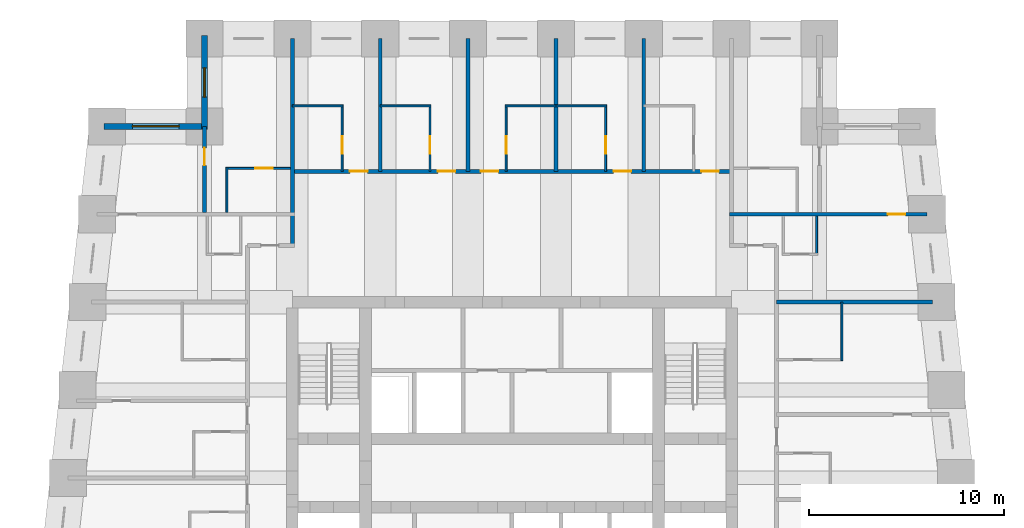
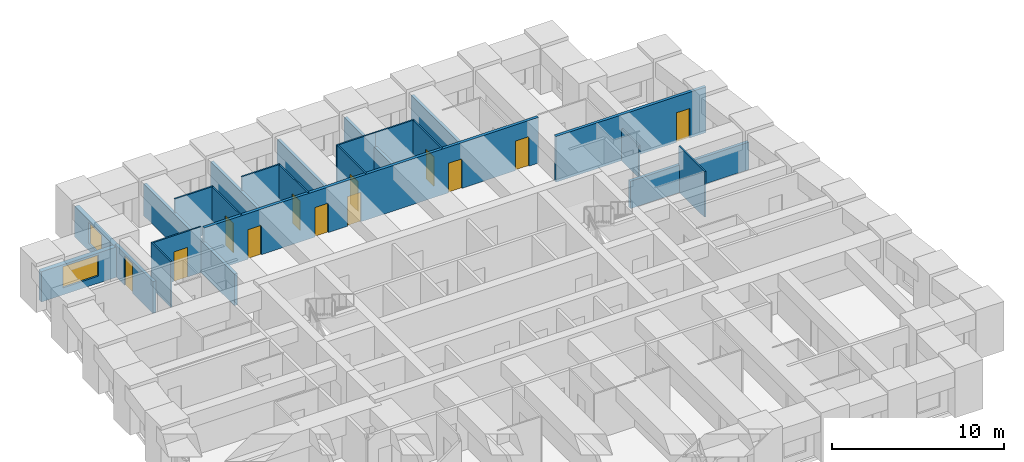
# One storey, part 6 of 8: 23 walls, 12 doors, 2 windows, 14 openings.
"""IFC4 building model written with IfcOpenShell, lengths in metres."""

from ifc_helpers import new_model, si_unit, direction, frame, frame_2d, origin, place, context, subcontext, project, spatial, rectangle, extrude, material, layer, layer_set, type_object, element, fill, save


model = new_model("IFC4")

# Units and contexts
model_context = context("Model", 3, precision=1e-05, world=origin(), true_north=direction((0.0, 1.0)))
body_context = subcontext(model_context, "Body", "Model", "MODEL_VIEW")
ifc_project = project(units=[si_unit("LENGTHUNIT", "METRE"), si_unit("AREAUNIT", "SQUARE_METRE"), si_unit("VOLUMEUNIT", "CUBIC_METRE"), si_unit("PLANEANGLEUNIT", "RADIAN"), si_unit("MASSUNIT", "GRAM", prefix="KILO")], contexts=[model_context])

# Site, building, storey
site_placement = place(None, origin())
site = spatial("IfcSite", under=ifc_project, at=site_placement, CompositionType="ELEMENT")
building_placement = place(site_placement, origin())
building = spatial("IfcBuilding", under=site, at=building_placement, Name="Kilele Tower Hotel", CompositionType="ELEMENT")
storey_placement = place(building_placement, frame((0.0, 0.0, 93.39990234375)))
storey = spatial("IfcBuildingStorey", under=building, at=storey_placement, Name="L23", CompositionType="ELEMENT", Elevation=93.39990234375)

# Walls
ifc_material_1 = material(Name="Moisture-resistant board")
ifc_layer_1 = layer(ifc_material_1, 0.10009765625)
ifc_layer_set_1 = layer_set([ifc_layer_1], Name="Moisture-resistant board")
wall_type_1 = type_object("IfcWallType", Name="Bathroom partition 100", PredefinedType="PLUMBINGWALL", material=ifc_layer_set_1)
wall_1_placement = place(storey_placement, frame((41.64990234375, 24.0, 0.0), z_axis=(0.0, 0.0, 1.0), x_axis=(0.0, 1.0, 0.0)))
element("IfcWall", 1, at=wall_1_placement, inside=storey, type_object=wall_type_1, Name="Bathroom partition 100 L23", PredefinedType="PLUMBINGWALL", context=body_context, shape_type="SweptSolid", body=[
    extrude(rectangle(XDim=3.0, YDim=0.10009765625, at=frame_2d((1.5, 0.0))), origin(), (0.0, 0.0, 1.0), 3.25),
])
wall_2_placement = place(storey_placement, frame((13.5, 37.050048828125, 0.0), z_axis=(0.0, 0.0, 1.0), x_axis=(1.0, 0.0, 0.0)))
element("IfcWall", 2, at=wall_2_placement, inside=storey, type_object=wall_type_1, Name="Bathroom partition 100 L23", PredefinedType="PLUMBINGWALL", context=body_context, shape_type="SweptSolid", body=[
    extrude(rectangle(XDim=2.60009765625, YDim=0.10009765625, at=frame_2d((1.300048828125, 0.0))), origin(), (0.0, 0.0, 1.0), 3.25),
])

# Wall, opening, door
wall_3_placement = place(storey_placement, frame((16.050048828125, 33.699951171875, 0.0), z_axis=(0.0, 0.0, 1.0), x_axis=(0.0, 1.0, 0.0)))
wall_3 = element("IfcWall", 3, at=wall_3_placement, inside=storey, type_object=wall_type_1, Name="Bathroom partition 100 L23", PredefinedType="PLUMBINGWALL", context=body_context, shape_type="SweptSolid", body=[
    extrude(rectangle(XDim=3.400146484375, YDim=0.10009765625, at=frame_2d((1.7001953125, 0.0))), origin(), (0.0, 0.0, 1.0), 3.25),
])
opening_1_placement = place(wall_3_placement, frame((1.7998046875, 0.0, 0.0), z_axis=(0.0, 0.0, 1.0), x_axis=(-1.0, 0.0, 0.0)))
opening_1 = element("IfcOpeningElement", 4, at=opening_1_placement, cuts=wall_3, Name="Opening D2A", PredefinedType="OPENING", context=body_context, shape_type="SweptSolid", body=[
    extrude(rectangle(XDim=0.89990234375, YDim=2.10009765625, at=frame_2d((0.449951171875, 1.050048828125))), frame((0.0, 0.06005859375, 0.0), z_axis=(0.0, -1.0, 0.0), x_axis=(1.0, 0.0, 0.0)), (0.0, 0.0, 1.0), 0.1201171875),
])
ifc_material_2 = material(Name="Timber door leaf in hardwood frame", Category="wood")
door_type_1 = type_object("IfcDoorType", Name="Bathroom door 900", OperationType="SINGLE_SWING_LEFT", PredefinedType="DOOR", material=ifc_material_2)
door_1_placement = place(opening_1_placement, origin())
door_1 = element("IfcDoor", 5, at=door_1_placement, inside=storey, type_object=door_type_1, Name="Bathroom door 2309B", OperationType="SINGLE_SWING_RIGHT", OverallHeight=2.10009765625, OverallWidth=0.89990234375, PredefinedType="DOOR", context=body_context, shape_type="SweptSolid", body=[
    extrude(rectangle(XDim=0.89990234375, YDim=2.10009765625, at=frame_2d((0.449951171875, 1.050048828125))), frame((0.0, 0.02490234375, 0.0), z_axis=(0.0, -1.0, 0.0), x_axis=(1.0, 0.0, 0.0)), (0.0, 0.0, 1.0), 0.050048828125),
])
fill(opening_1, door_1)

# Wall
wall_4_placement = place(storey_placement, frame((18.0, 37.050048828125, 0.0), z_axis=(0.0, 0.0, 1.0), x_axis=(1.0, 0.0, 0.0)))
element("IfcWall", 6, at=wall_4_placement, inside=storey, type_object=wall_type_1, Name="Bathroom partition 100 L23", PredefinedType="PLUMBINGWALL", context=body_context, shape_type="SweptSolid", body=[
    extrude(rectangle(XDim=2.60009765625, YDim=0.10009765625, at=frame_2d((1.300048828125, 0.0))), origin(), (0.0, 0.0, 1.0), 3.25),
])

# Wall, opening, door
wall_5_placement = place(storey_placement, frame((20.550048828125, 33.699951171875, 0.0), z_axis=(0.0, 0.0, 1.0), x_axis=(0.0, 1.0, 0.0)))
wall_5 = element("IfcWall", 7, at=wall_5_placement, inside=storey, type_object=wall_type_1, Name="Bathroom partition 100 L23", PredefinedType="PLUMBINGWALL", context=body_context, shape_type="SweptSolid", body=[
    extrude(rectangle(XDim=3.400146484375, YDim=0.10009765625, at=frame_2d((1.7001953125, 0.0))), origin(), (0.0, 0.0, 1.0), 3.25),
])
opening_2_placement = place(wall_5_placement, frame((1.7998046875, 0.0, 0.0), z_axis=(0.0, 0.0, 1.0), x_axis=(-1.0, 0.0, 0.0)))
opening_2 = element("IfcOpeningElement", 8, at=opening_2_placement, cuts=wall_5, Name="Opening D2A", PredefinedType="OPENING", context=body_context, shape_type="SweptSolid", body=[
    extrude(rectangle(XDim=0.89990234375, YDim=2.10009765625, at=frame_2d((0.449951171875, 1.050048828125))), frame((0.0, 0.06005859375, 0.0), z_axis=(0.0, -1.0, 0.0), x_axis=(1.0, 0.0, 0.0)), (0.0, 0.0, 1.0), 0.1201171875),
])
door_2_placement = place(opening_2_placement, origin())
door_2 = element("IfcDoor", 9, at=door_2_placement, inside=storey, type_object=door_type_1, Name="Bathroom door 2310B", OperationType="SINGLE_SWING_RIGHT", OverallHeight=2.10009765625, OverallWidth=0.89990234375, PredefinedType="DOOR", context=body_context, shape_type="SweptSolid", body=[
    extrude(rectangle(XDim=0.89990234375, YDim=2.10009765625, at=frame_2d((0.449951171875, 1.050048828125))), frame((0.0, 0.02490234375, 0.0), z_axis=(0.0, -1.0, 0.0), x_axis=(1.0, 0.0, 0.0)), (0.0, 0.0, 1.0), 0.050048828125),
])
fill(opening_2, door_2)

# Wall
wall_6_placement = place(storey_placement, frame((24.39990234375, 37.050048828125, 0.0), z_axis=(0.0, 0.0, 1.0), x_axis=(1.0, 0.0, 0.0)))
element("IfcWall", 10, at=wall_6_placement, inside=storey, type_object=wall_type_1, Name="Bathroom partition 100 L23", PredefinedType="PLUMBINGWALL", context=body_context, shape_type="SweptSolid", body=[
    extrude(rectangle(XDim=2.60009765625, YDim=0.10009765625, at=frame_2d((1.300048828125, 0.0))), origin(), (0.0, 0.0, 1.0), 3.25),
])

# Wall, opening, door
wall_7_placement = place(storey_placement, frame((24.449951171875, 33.699951171875, 0.0), z_axis=(0.0, 0.0, 1.0), x_axis=(0.0, 1.0, 0.0)))
wall_7 = element("IfcWall", 11, at=wall_7_placement, inside=storey, type_object=wall_type_1, Name="Bathroom partition 100 L23", PredefinedType="PLUMBINGWALL", context=body_context, shape_type="SweptSolid", body=[
    extrude(rectangle(XDim=3.400146484375, YDim=0.10009765625, at=frame_2d((1.7001953125, 0.0))), origin(), (0.0, 0.0, 1.0), 3.25),
])
opening_3_placement = place(wall_7_placement, frame((0.89990234375, 0.0, 0.0)))
opening_3 = element("IfcOpeningElement", 12, at=opening_3_placement, cuts=wall_7, Name="Opening D2A", PredefinedType="OPENING", context=body_context, shape_type="SweptSolid", body=[
    extrude(rectangle(XDim=0.89990234375, YDim=2.10009765625, at=frame_2d((0.449951171875, 1.050048828125))), frame((0.0, 0.06005859375, 0.0), z_axis=(0.0, -1.0, 0.0), x_axis=(1.0, 0.0, 0.0)), (0.0, 0.0, 1.0), 0.1201171875),
])
door_3_placement = place(opening_3_placement, origin())
door_3 = element("IfcDoor", 13, at=door_3_placement, inside=storey, type_object=door_type_1, Name="Bathroom door 2311B", OperationType="SINGLE_SWING_LEFT", OverallHeight=2.10009765625, OverallWidth=0.89990234375, PredefinedType="DOOR", context=body_context, shape_type="SweptSolid", body=[
    extrude(rectangle(XDim=0.89990234375, YDim=2.10009765625, at=frame_2d((0.449951171875, 1.050048828125))), frame((0.0, 0.02490234375, 0.0), z_axis=(0.0, -1.0, 0.0), x_axis=(1.0, 0.0, 0.0)), (0.0, 0.0, 1.0), 0.050048828125),
])
fill(opening_3, door_3)

# Wall
wall_8_placement = place(storey_placement, frame((27.0, 37.050048828125, 0.0), z_axis=(0.0, 0.0, 1.0), x_axis=(1.0, 0.0, 0.0)))
element("IfcWall", 14, at=wall_8_placement, inside=storey, type_object=wall_type_1, Name="Bathroom partition 100 L23", PredefinedType="PLUMBINGWALL", context=body_context, shape_type="SweptSolid", body=[
    extrude(rectangle(XDim=2.60009765625, YDim=0.10009765625, at=frame_2d((1.300048828125, 0.0))), origin(), (0.0, 0.0, 1.0), 3.25),
])

# Wall, opening, door
wall_9_placement = place(storey_placement, frame((29.550048828125, 33.699951171875, 0.0), z_axis=(0.0, 0.0, 1.0), x_axis=(0.0, 1.0, 0.0)))
wall_9 = element("IfcWall", 15, at=wall_9_placement, inside=storey, type_object=wall_type_1, Name="Bathroom partition 100 L23", PredefinedType="PLUMBINGWALL", context=body_context, shape_type="SweptSolid", body=[
    extrude(rectangle(XDim=3.400146484375, YDim=0.10009765625, at=frame_2d((1.7001953125, 0.0))), origin(), (0.0, 0.0, 1.0), 3.25),
])
opening_4_placement = place(wall_9_placement, frame((1.7998046875, 0.0, 0.0), z_axis=(0.0, 0.0, 1.0), x_axis=(-1.0, 0.0, 0.0)))
opening_4 = element("IfcOpeningElement", 16, at=opening_4_placement, cuts=wall_9, Name="Opening D2A", PredefinedType="OPENING", context=body_context, shape_type="SweptSolid", body=[
    extrude(rectangle(XDim=0.89990234375, YDim=2.10009765625, at=frame_2d((0.449951171875, 1.050048828125))), frame((0.0, 0.06005859375, 0.0), z_axis=(0.0, -1.0, 0.0), x_axis=(1.0, 0.0, 0.0)), (0.0, 0.0, 1.0), 0.1201171875),
])
door_4_placement = place(opening_4_placement, origin())
door_4 = element("IfcDoor", 17, at=door_4_placement, inside=storey, type_object=door_type_1, Name="Bathroom door 2312B", OperationType="SINGLE_SWING_RIGHT", OverallHeight=2.10009765625, OverallWidth=0.89990234375, PredefinedType="DOOR", context=body_context, shape_type="SweptSolid", body=[
    extrude(rectangle(XDim=0.89990234375, YDim=2.10009765625, at=frame_2d((0.449951171875, 1.050048828125))), frame((0.0, 0.02490234375, 0.0), z_axis=(0.0, -1.0, 0.0), x_axis=(1.0, 0.0, 0.0)), (0.0, 0.0, 1.0), 0.050048828125),
])
fill(opening_4, door_4)

# Walls
wall_10_placement = place(storey_placement, frame((40.35009765625, 31.39990234375, 0.0), z_axis=(0.0, 0.0, 1.0), x_axis=(0.0, -1.0, 0.0)))
element("IfcWall", 18, at=wall_10_placement, inside=storey, type_object=wall_type_1, Name="Bathroom partition 100 L23", PredefinedType="PLUMBINGWALL", context=body_context, shape_type="SweptSolid", body=[
    extrude(rectangle(XDim=2.0, YDim=0.10009765625, at=frame_2d((1.0, 0.0))), origin(), (0.0, 0.0, 1.0), 2.25),
])
wall_11_placement = place(storey_placement, frame((10.14990234375, 31.60009765625, 0.0), z_axis=(0.0, 0.0, 1.0), x_axis=(0.0, 1.0, 0.0)))
element("IfcWall", 19, at=wall_11_placement, inside=storey, type_object=wall_type_1, Name="Bathroom partition 100 L23", PredefinedType="PLUMBINGWALL", context=body_context, shape_type="SweptSolid", body=[
    extrude(rectangle(XDim=2.2998046875, YDim=0.10009765625, at=frame_2d((1.14990234375, 0.0))), origin(), (0.0, 0.0, 1.0), 3.25),
])

# Wall, opening, door
wall_12_placement = place(storey_placement, frame((13.39990234375, 33.85009765625, 0.0), z_axis=(0.0, 0.0, 1.0), x_axis=(-1.0, 0.0, 0.0)))
wall_12 = element("IfcWall", 20, at=wall_12_placement, inside=storey, type_object=wall_type_1, Name="Bathroom partition 100 L23", PredefinedType="PLUMBINGWALL", context=body_context, shape_type="SweptSolid", body=[
    extrude(rectangle(XDim=3.2998046875, YDim=0.10009765625, at=frame_2d((1.64990234375, 0.0))), origin(), (0.0, 0.0, 1.0), 3.25),
])
opening_5_placement = place(wall_12_placement, frame((1.7998046875, 0.0, 0.0), z_axis=(0.0, 0.0, 1.0), x_axis=(-1.0, 0.0, 0.0)))
opening_5 = element("IfcOpeningElement", 21, at=opening_5_placement, cuts=wall_12, Name="Opening D2A", PredefinedType="OPENING", context=body_context, shape_type="SweptSolid", body=[
    extrude(rectangle(XDim=0.89990234375, YDim=2.10009765625, at=frame_2d((0.449951171875, 1.050048828125))), frame((0.0, 0.06005859375, 0.0), z_axis=(0.0, -1.0, 0.0), x_axis=(1.0, 0.0, 0.0)), (0.0, 0.0, 1.0), 0.1201171875),
])
door_5_placement = place(opening_5_placement, origin())
door_5 = element("IfcDoor", 22, at=door_5_placement, inside=storey, type_object=door_type_1, Name="Bathroom door 2327B", OperationType="SINGLE_SWING_RIGHT", OverallHeight=2.10009765625, OverallWidth=0.89990234375, PredefinedType="DOOR", context=body_context, shape_type="SweptSolid", body=[
    extrude(rectangle(XDim=0.89990234375, YDim=2.10009765625, at=frame_2d((0.449951171875, 1.050048828125))), frame((0.0, 0.02490234375, 0.0), z_axis=(0.0, -1.0, 0.0), x_axis=(1.0, 0.0, 0.0)), (0.0, 0.0, 1.0), 0.050048828125),
])
fill(opening_5, door_5)

# Wall, openings, doors
ifc_material_3 = material(Name="Blockwork, plastered both sides", Category="masonry")
ifc_layer_2 = layer(ifc_material_3, 0.199951171875)
ifc_layer_set_2 = layer_set([ifc_layer_2], Name="Blockwork, plastered both sides")
wall_type_2 = type_object("IfcWallType", Name="Corridor wall 200", PredefinedType="PARTITIONING", material=ifc_layer_set_2)
wall_13_placement = place(storey_placement, frame((13.5, 33.699951171875, 0.0), z_axis=(0.0, 0.0, 1.0), x_axis=(1.0, 0.0, 0.0)))
wall_13 = element("IfcWall", 23, at=wall_13_placement, inside=storey, type_object=wall_type_2, Name="Corridor wall 200 L23", PredefinedType="PARTITIONING", context=body_context, shape_type="SweptSolid", body=[
    extrude(rectangle(XDim=22.5, YDim=0.199951171875, at=frame_2d((11.25, 0.0))), origin(), (0.0, 0.0, 1.0), 3.25),
])
opening_6_placement = place(wall_13_placement, frame((2.949951171875, 0.0, 0.0)))
opening_6 = element("IfcOpeningElement", 24, at=opening_6_placement, cuts=wall_13, Name="Opening D1", PredefinedType="OPENING", context=body_context, shape_type="SweptSolid", body=[
    extrude(rectangle(XDim=0.89990234375, YDim=2.10009765625, at=frame_2d((0.449951171875, 1.050048828125))), frame((0.0, 0.10986328125, 0.0), z_axis=(0.0, -1.0, 0.0), x_axis=(1.0, 0.0, 0.0)), (0.0, 0.0, 1.0), 0.219970703125),
])
opening_7_placement = place(wall_13_placement, frame((7.449951171875, 0.0, 0.0)))
opening_7 = element("IfcOpeningElement", 25, at=opening_7_placement, cuts=wall_13, Name="Opening D1", PredefinedType="OPENING", context=body_context, shape_type="SweptSolid", body=[
    extrude(rectangle(XDim=0.89990234375, YDim=2.10009765625, at=frame_2d((0.449951171875, 1.050048828125))), frame((0.0, 0.10986328125, 0.0), z_axis=(0.0, -1.0, 0.0), x_axis=(1.0, 0.0, 0.0)), (0.0, 0.0, 1.0), 0.219970703125),
])
opening_8_placement = place(wall_13_placement, frame((9.64990234375, 0.0, 0.0)))
opening_8 = element("IfcOpeningElement", 26, at=opening_8_placement, cuts=wall_13, Name="Opening D1", PredefinedType="OPENING", context=body_context, shape_type="SweptSolid", body=[
    extrude(rectangle(XDim=0.89990234375, YDim=2.10009765625, at=frame_2d((0.449951171875, 1.050048828125))), frame((0.0, 0.10986328125, 0.0), z_axis=(0.0, -1.0, 0.0), x_axis=(1.0, 0.0, 0.0)), (0.0, 0.0, 1.0), 0.219970703125),
])
opening_9_placement = place(wall_13_placement, frame((16.449951171875, 0.0, 0.0)))
opening_9 = element("IfcOpeningElement", 27, at=opening_9_placement, cuts=wall_13, Name="Opening D1", PredefinedType="OPENING", context=body_context, shape_type="SweptSolid", body=[
    extrude(rectangle(XDim=0.89990234375, YDim=2.10009765625, at=frame_2d((0.449951171875, 1.050048828125))), frame((0.0, 0.10986328125, 0.0), z_axis=(0.0, -1.0, 0.0), x_axis=(1.0, 0.0, 0.0)), (0.0, 0.0, 1.0), 0.219970703125),
])
opening_10_placement = place(wall_13_placement, frame((20.949951171875, 0.0, 0.0)))
opening_10 = element("IfcOpeningElement", 28, at=opening_10_placement, cuts=wall_13, Name="Opening D1", PredefinedType="OPENING", context=body_context, shape_type="SweptSolid", body=[
    extrude(rectangle(XDim=0.89990234375, YDim=2.10009765625, at=frame_2d((0.449951171875, 1.050048828125))), frame((0.0, 0.10986328125, 0.0), z_axis=(0.0, -1.0, 0.0), x_axis=(1.0, 0.0, 0.0)), (0.0, 0.0, 1.0), 0.219970703125),
])
ifc_material_4 = material(Name="Timber door leaf in hardwood frame", Category="wood")
door_type_2 = type_object("IfcDoorType", Name="Guest room entrance door 900", OperationType="SINGLE_SWING_LEFT", PredefinedType="DOOR", material=ifc_material_4)
door_6_placement = place(opening_6_placement, origin())
door_6 = element("IfcDoor", 29, at=door_6_placement, inside=storey, type_object=door_type_2, Name="Room entrance 2309", OperationType="SINGLE_SWING_LEFT", OverallHeight=2.10009765625, OverallWidth=0.89990234375, PredefinedType="DOOR", context=body_context, shape_type="SweptSolid", body=[
    extrude(rectangle(XDim=0.89990234375, YDim=2.10009765625, at=frame_2d((0.449951171875, 1.050048828125))), frame((0.0, 0.02490234375, 0.0), z_axis=(0.0, -1.0, 0.0), x_axis=(1.0, 0.0, 0.0)), (0.0, 0.0, 1.0), 0.050048828125),
])
fill(opening_6, door_6)
door_7_placement = place(opening_7_placement, origin())
door_7 = element("IfcDoor", 30, at=door_7_placement, inside=storey, type_object=door_type_2, Name="Room entrance 2310", OperationType="SINGLE_SWING_LEFT", OverallHeight=2.10009765625, OverallWidth=0.89990234375, PredefinedType="DOOR", context=body_context, shape_type="SweptSolid", body=[
    extrude(rectangle(XDim=0.89990234375, YDim=2.10009765625, at=frame_2d((0.449951171875, 1.050048828125))), frame((0.0, 0.02490234375, 0.0), z_axis=(0.0, -1.0, 0.0), x_axis=(1.0, 0.0, 0.0)), (0.0, 0.0, 1.0), 0.050048828125),
])
fill(opening_7, door_7)
door_8_placement = place(opening_8_placement, origin())
door_8 = element("IfcDoor", 31, at=door_8_placement, inside=storey, type_object=door_type_2, Name="Room entrance 2311", OperationType="SINGLE_SWING_RIGHT", OverallHeight=2.10009765625, OverallWidth=0.89990234375, PredefinedType="DOOR", context=body_context, shape_type="SweptSolid", body=[
    extrude(rectangle(XDim=0.89990234375, YDim=2.10009765625, at=frame_2d((0.449951171875, 1.050048828125))), frame((0.0, 0.02490234375, 0.0), z_axis=(0.0, -1.0, 0.0), x_axis=(1.0, 0.0, 0.0)), (0.0, 0.0, 1.0), 0.050048828125),
])
fill(opening_8, door_8)
door_9_placement = place(opening_9_placement, origin())
door_9 = element("IfcDoor", 32, at=door_9_placement, inside=storey, type_object=door_type_2, Name="Room entrance 2312", OperationType="SINGLE_SWING_LEFT", OverallHeight=2.10009765625, OverallWidth=0.89990234375, PredefinedType="DOOR", context=body_context, shape_type="SweptSolid", body=[
    extrude(rectangle(XDim=0.89990234375, YDim=2.10009765625, at=frame_2d((0.449951171875, 1.050048828125))), frame((0.0, 0.02490234375, 0.0), z_axis=(0.0, -1.0, 0.0), x_axis=(1.0, 0.0, 0.0)), (0.0, 0.0, 1.0), 0.050048828125),
])
fill(opening_9, door_9)
door_10_placement = place(opening_10_placement, origin())
door_10 = element("IfcDoor", 33, at=door_10_placement, inside=storey, type_object=door_type_2, Name="Room entrance 2313", OperationType="SINGLE_SWING_LEFT", OverallHeight=2.10009765625, OverallWidth=0.89990234375, PredefinedType="DOOR", context=body_context, shape_type="SweptSolid", body=[
    extrude(rectangle(XDim=0.89990234375, YDim=2.10009765625, at=frame_2d((0.449951171875, 1.050048828125))), frame((0.0, 0.02490234375, 0.0), z_axis=(0.0, -1.0, 0.0), x_axis=(1.0, 0.0, 0.0)), (0.0, 0.0, 1.0), 0.050048828125),
])
fill(opening_10, door_10)

# Wall, opening, door
ifc_material_5 = material(Name="Blockwork, plastered both sides", Category="masonry")
ifc_layer_3 = layer(ifc_material_5, 0.199951171875)
ifc_layer_set_3 = layer_set([ifc_layer_3], Name="Blockwork, plastered both sides")
wall_type_3 = type_object("IfcWallType", Name="Partition wall 200", PredefinedType="PARTITIONING", material=ifc_layer_set_3)
wall_14_placement = place(storey_placement, frame((9.0, 31.60009765625, 0.0), z_axis=(0.0, 0.0, 1.0), x_axis=(0.0, 1.0, 0.0)))
wall_14 = element("IfcWall", 34, at=wall_14_placement, inside=storey, type_object=wall_type_3, Name="Partition wall 200 L23", PredefinedType="PARTITIONING", context=body_context, shape_type="SweptSolid", body=[
    extrude(rectangle(XDim=4.39990234375, YDim=0.199951171875, at=frame_2d((2.199951171875, 0.0))), origin(), (0.0, 0.0, 1.0), 2.25),
])
opening_11_placement = place(wall_14_placement, frame((2.39990234375, 0.0, 0.0)))
opening_11 = element("IfcOpeningElement", 35, at=opening_11_placement, cuts=wall_14, Name="Opening D3", PredefinedType="OPENING", context=body_context, shape_type="SweptSolid", body=[
    extrude(rectangle(XDim=0.89990234375, YDim=2.10009765625, at=frame_2d((0.449951171875, 1.050048828125))), frame((0.0, 0.10986328125, 0.0), z_axis=(0.0, -1.0, 0.0), x_axis=(1.0, 0.0, 0.0)), (0.0, 0.0, 1.0), 0.219970703125),
])
ifc_material_6 = material(Name="Timber door leaf in hardwood frame", Category="wood")
door_type_3 = type_object("IfcDoorType", Name="Suite internal door 900", OperationType="SINGLE_SWING_LEFT", PredefinedType="DOOR", material=ifc_material_6)
door_11_placement = place(opening_11_placement, origin())
door_11 = element("IfcDoor", 36, at=door_11_placement, inside=storey, type_object=door_type_3, Name="Suite door 2328", OperationType="SINGLE_SWING_RIGHT", OverallHeight=2.10009765625, OverallWidth=0.89990234375, PredefinedType="DOOR", context=body_context, shape_type="SweptSolid", body=[
    extrude(rectangle(XDim=0.89990234375, YDim=2.10009765625, at=frame_2d((0.449951171875, 1.050048828125))), frame((0.0, 0.02490234375, 0.0), z_axis=(0.0, -1.0, 0.0), x_axis=(1.0, 0.0, 0.0)), (0.0, 0.0, 1.0), 0.050048828125),
])
fill(opening_11, door_11)

# Walls
ifc_material_7 = material(Name="Blockwork, plastered both sides", Category="masonry")
ifc_layer_4 = layer(ifc_material_7, 0.199951171875)
ifc_layer_set_4 = layer_set([ifc_layer_4], Name="Blockwork, plastered both sides")
wall_type_4 = type_object("IfcWallType", Name="Party wall 200", PredefinedType="PARTITIONING", material=ifc_layer_set_4)
for number, where, z_axis, x_axis, name in (
    (37, (18.0, 33.699951171875, 0.0), (0.0, 0.0, 1.0), (0.0, 1.0, 0.0), "Party wall 200 L23"),
    (38, (22.5, 33.699951171875, 0.0), (0.0, 0.0, 1.0), (0.0, 1.0, 0.0), "Party wall 200 L23"),
    (39, (27.0, 33.699951171875, 0.0), (0.0, 0.0, 1.0), (0.0, 1.0, 0.0), "Party wall 200 L23"),
    (40, (31.5, 33.699951171875, 0.0), (0.0, 0.0, 1.0), (0.0, 1.0, 0.0), "Party wall 200 L23"),
):
    element("IfcWall", number, at=place(storey_placement, frame(where, z_axis=z_axis, x_axis=x_axis)), inside=storey, type_object=wall_type_4, Name=name, PredefinedType="PARTITIONING", context=body_context, shape_type="SweptSolid", body=[
        extrude(rectangle(XDim=6.800048828125, YDim=0.199951171875, at=frame_2d((3.39990234375, 0.0))), origin(), (0.0, 0.0, 1.0), 2.25),
    ])
wall_15_placement = place(storey_placement, frame((38.300048828125, 27.0, 0.0), z_axis=(0.0, 0.0, 1.0), x_axis=(1.0, 0.0, 0.0)))
element("IfcWall", 41, at=wall_15_placement, inside=storey, type_object=wall_type_4, Name="Party wall 200 L23", PredefinedType="PARTITIONING", context=body_context, shape_type="SweptSolid", body=[
    extrude(rectangle(XDim=7.976806640625, YDim=0.199951171875, at=frame_2d((3.98828125, 0.0))), origin(), (0.0, 0.0, 1.0), 1.9501953125),
])

# Wall, opening, door
wall_16_placement = place(storey_placement, frame((35.89990234375, 31.5, 0.0), z_axis=(0.0, 0.0, 1.0), x_axis=(1.0, 0.0, 0.0)))
wall_16 = element("IfcWall", 42, at=wall_16_placement, inside=storey, type_object=wall_type_4, Name="Party wall 200 L23", PredefinedType="PARTITIONING", context=body_context, shape_type="SweptSolid", body=[
    extrude(rectangle(XDim=10.09912109375, YDim=0.199951171875, at=frame_2d((5.049560546875, 0.0))), origin(), (0.0, 0.0, 1.0), 3.25),
])
opening_12_placement = place(wall_16_placement, frame((8.09912109375, 0.0, 0.0)))
opening_12 = element("IfcOpeningElement", 43, at=opening_12_placement, cuts=wall_16, Name="Opening D3", PredefinedType="OPENING", context=body_context, shape_type="SweptSolid", body=[
    extrude(rectangle(XDim=0.89990234375, YDim=2.10009765625, at=frame_2d((0.449951171875, 1.050048828125))), frame((0.0, 0.10986328125, 0.0), z_axis=(0.0, -1.0, 0.0), x_axis=(1.0, 0.0, 0.0)), (0.0, 0.0, 1.0), 0.219970703125),
])
door_12_placement = place(opening_12_placement, origin())
door_12 = element("IfcDoor", 44, at=door_12_placement, inside=storey, type_object=door_type_3, Name="Suite door 2324", OperationType="SINGLE_SWING_RIGHT", OverallHeight=2.10009765625, OverallWidth=0.89990234375, PredefinedType="DOOR", context=body_context, shape_type="SweptSolid", body=[
    extrude(rectangle(XDim=0.89990234375, YDim=2.10009765625, at=frame_2d((0.449951171875, 1.050048828125))), frame((0.0, 0.02490234375, 0.0), z_axis=(0.0, -1.0, 0.0), x_axis=(1.0, 0.0, 0.0)), (0.0, 0.0, 1.0), 0.050048828125),
])
fill(opening_12, door_12)

# Wall
wall_17_placement = place(storey_placement, frame((13.5, 29.89990234375, 0.0), z_axis=(0.0, 0.0, 1.0), x_axis=(0.0, 1.0, 0.0)))
element("IfcWall", 45, at=wall_17_placement, inside=storey, type_object=wall_type_4, Name="Party wall 200 L23", PredefinedType="PARTITIONING", context=body_context, shape_type="SweptSolid", body=[
    extrude(rectangle(XDim=10.60009765625, YDim=0.199951171875, at=frame_2d((5.300048828125, 0.0))), origin(), (0.0, 0.0, 1.0), 2.25),
])

# Wall, opening, window
ifc_material_8 = material(Name="Concrete C40/50 precast", Category="concrete")
ifc_layer_5 = layer(ifc_material_8, 0.260009765625, Name="Precast backing", Category="LoadBearing")
ifc_material_9 = material(Name="Reconstituted stone finish", Category="masonry")
ifc_layer_6 = layer(ifc_material_9, 0.0400390625, Name="Face mix", Category="Finish")
ifc_layer_set_5 = layer_set([ifc_layer_5, ifc_layer_6], Name="Precast concrete C40/50, reconstituted stone finish")
wall_type_5 = type_object("IfcWallType", Name="Precast stone facade wall 300", PredefinedType="STANDARD", material=ifc_layer_set_5)
wall_18_placement = place(storey_placement, frame((9.0, 40.64990234375, 0.0), z_axis=(0.0, 0.0, 1.0), x_axis=(0.0, -1.0, 0.0)))
wall_18 = element("IfcWall", 46, at=wall_18_placement, inside=storey, type_object=wall_type_5, Name="Facade wall L23 edge 10", PredefinedType="STANDARD", context=body_context, shape_type="SweptSolid", body=[
    extrude(rectangle(XDim=4.7998046875, YDim=0.300048828125, at=frame_2d((2.39990234375, 0.0))), origin(), (0.0, 0.0, 1.0), 2.150146484375),
])
opening_13_placement = place(wall_18_placement, frame((1.64990234375, 0.0, 0.5)))
opening_13 = element("IfcOpeningElement", 47, at=opening_13_placement, cuts=wall_18, Name="Opening W2", PredefinedType="OPENING", context=body_context, shape_type="SweptSolid", body=[
    extrude(rectangle(XDim=1.5, YDim=1.5, at=frame_2d((0.75, 0.75))), frame((0.0, 0.159912109375, 0.0), z_axis=(0.0, -1.0, 0.0), x_axis=(1.0, 0.0, 0.0)), (0.0, 0.0, 1.0), 0.320068359375),
])
ifc_material_10 = material(Name="Aluminium frame, clear double glazing", Category="aluminium")
window_type_1 = type_object("IfcWindowType", Name="Window W2 1500 x 1500", PartitioningType="SINGLE_PANEL", PredefinedType="WINDOW", material=ifc_material_10)
window_1_placement = place(opening_13_placement, origin())
window_1 = element("IfcWindow", 48, at=window_1_placement, inside=storey, type_object=window_type_1, Name="Window L23", OverallHeight=1.5, OverallWidth=1.5, PartitioningType="SINGLE_PANEL", PredefinedType="WINDOW", context=body_context, shape_type="SweptSolid", body=[
    extrude(rectangle(XDim=1.5, YDim=1.5, at=frame_2d((0.75, 0.75))), frame((0.0, 0.030029296875, 0.0), z_axis=(0.0, -1.0, 0.0), x_axis=(1.0, 0.0, 0.0)), (0.0, 0.0, 1.0), 0.06005859375),
])
fill(opening_13, window_1)

wall_19_placement = place(storey_placement, frame((9.14990234375, 36.0, 0.0), z_axis=(0.0, 0.0, 1.0), x_axis=(-1.0, 0.0, 0.0)))
wall_19 = element("IfcWall", 49, at=wall_19_placement, inside=storey, type_object=wall_type_5, Name="Facade wall L23 edge 11", PredefinedType="STANDARD", context=body_context, shape_type="SweptSolid", body=[
    extrude(rectangle(XDim=5.2998046875, YDim=0.300048828125, at=frame_2d((2.64990234375, 0.0))), origin(), (0.0, 0.0, 1.0), 2.150146484375),
])
opening_14_placement = place(wall_19_placement, frame((1.449951171875, 0.0, 0.5)))
opening_14 = element("IfcOpeningElement", 50, at=opening_14_placement, cuts=wall_19, Name="Opening W2", PredefinedType="OPENING", context=body_context, shape_type="SweptSolid", body=[
    extrude(rectangle(XDim=2.39990234375, YDim=1.5, at=frame_2d((1.199951171875, 0.75))), frame((0.0, 0.159912109375, 0.0), z_axis=(0.0, -1.0, 0.0), x_axis=(1.0, 0.0, 0.0)), (0.0, 0.0, 1.0), 0.320068359375),
])
ifc_material_11 = material(Name="Aluminium frame, clear double glazing", Category="aluminium")
window_type_2 = type_object("IfcWindowType", Name="Window W2 2400 x 1500", PartitioningType="SINGLE_PANEL", PredefinedType="WINDOW", material=ifc_material_11)
window_2_placement = place(opening_14_placement, origin())
window_2 = element("IfcWindow", 51, at=window_2_placement, inside=storey, type_object=window_type_2, Name="Window L23", OverallHeight=1.5, OverallWidth=2.39990234375, PartitioningType="SINGLE_PANEL", PredefinedType="WINDOW", context=body_context, shape_type="SweptSolid", body=[
    extrude(rectangle(XDim=2.39990234375, YDim=1.5, at=frame_2d((1.199951171875, 0.75))), frame((0.0, 0.030029296875, 0.0), z_axis=(0.0, -1.0, 0.0), x_axis=(1.0, 0.0, 0.0)), (0.0, 0.0, 1.0), 0.06005859375),
])
fill(opening_14, window_2)

save(model, "model.ifc")
